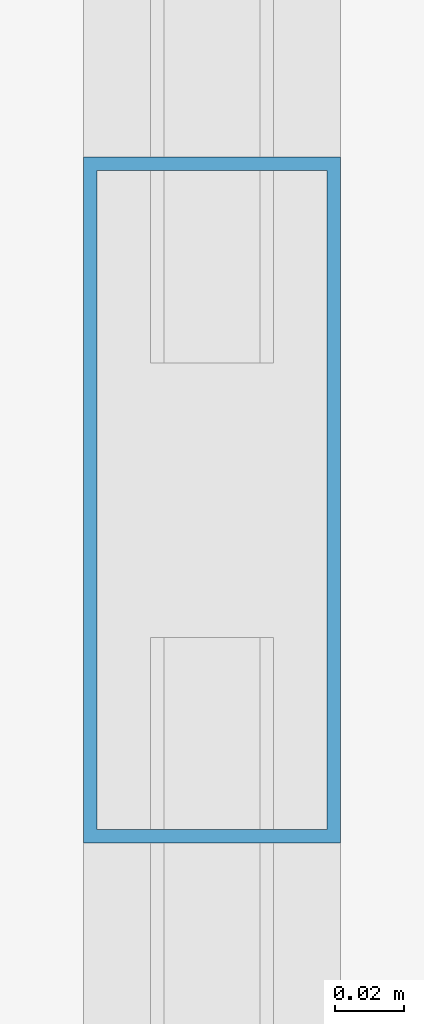
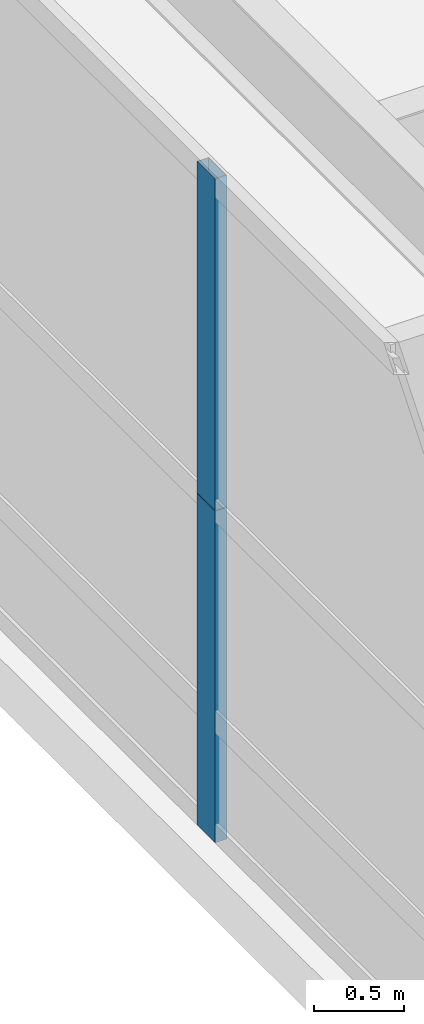
# One storey, part 9 of 34: 2 members, 1 element without a shape of its own.
"""IFC4 building model written with IfcOpenShell, lengths in metres."""

import ifcopenshell
import ifcopenshell.guid

model = None  # the IFC model being written
_history = None  # IfcOwnerHistory: only IFC2X3 demands one
_inside = {}  # id of a spatial element -> (the spatial element, [elements in it])
_under = {}  # id of a project, library or spatial element -> (it, [spatial elements below it])
_declared = {}  # id of a project -> (the project, [libraries it declares])
_typed = {}  # id of a type object -> (the type object, [elements of that type])
_made_of = {}  # id of a material, layer set ... -> (it, [elements and type objects made of it])


def new_model(schema):
    """Start an empty IFC model of exactly this schema.

    Asked for "IFC4X3", IfcOpenShell would pick the latest addendum, in which some entities
    have other attributes; the version numbers below select the first issue.
    IFC2X3 requires an IfcOwnerHistory on every rooted entity: one is made here for all.
    """
    global model, _history
    if schema == "IFC4X3":
        model = ifcopenshell.file(schema_version=(4, 3, 0, 0))
    else:
        model = ifcopenshell.file(schema=schema)
    _inside.clear()
    _under.clear()
    _declared.clear()
    _typed.clear()
    _made_of.clear()
    _history = None
    if model.schema == "IFC2X3":
        org = make("IfcOrganization", Name="unknown")
        user = make(
            "IfcPersonAndOrganization",
            ThePerson=make("IfcPerson", FamilyName="unknown"),
            TheOrganization=org,
        )
        app = make(
            "IfcApplication",
            ApplicationDeveloper=org,
            Version="unknown",
            ApplicationFullName="unknown",
            ApplicationIdentifier="unknown",
        )
        _history = make(
            "IfcOwnerHistory",
            OwningUser=user,
            OwningApplication=app,
            ChangeAction="ADDED",
            CreationDate=0,
        )
    return model


def make(cls, **values):
    """One entity of the class cls with the attributes given. An attribute that is None is left unset."""
    return model.create_entity(
        cls, **{name: value for name, value in values.items() if value is not None}
    )


def rooted(cls, **values):
    """An entity with a GlobalId (a new one), such as an element, a storey or a relation."""
    return make(cls, GlobalId=ifcopenshell.guid.new(), OwnerHistory=_history, **values)


def si_unit(unit_type, name, prefix=None):
    """IfcSIUnit, for example si_unit("LENGTHUNIT", "METRE", prefix="MILLI")."""
    return make("IfcSIUnit", UnitType=unit_type, Prefix=prefix, Name=name)


def assignment(units):
    """IfcUnitAssignment: the units of a project."""
    return None if units is None else make("IfcUnitAssignment", Units=units)


def point(xyz):
    """IfcCartesianPoint."""
    return None if xyz is None else make("IfcCartesianPoint", Coordinates=xyz)


def direction(xyz):
    """IfcDirection."""
    return None if xyz is None else make("IfcDirection", DirectionRatios=xyz)


def frame(location, z_axis=None, x_axis=None):
    """IfcAxis2Placement3D, a coordinate frame: its origin and axes. An axis left out is left unset."""
    return make(
        "IfcAxis2Placement3D",
        Location=point(location),
        Axis=direction(z_axis),
        RefDirection=direction(x_axis),
    )


def frame_2d(location, x_axis=None):
    """IfcAxis2Placement2D, a coordinate frame in the plane: its origin and x axis."""
    return make(
        "IfcAxis2Placement2D", Location=point(location), RefDirection=direction(x_axis)
    )


def origin():
    """The frame at (0, 0, 0) with its axes left unset."""
    return frame((0.0, 0.0, 0.0))


def origin_2d():
    """The frame at (0, 0) in the plane with its x axis left unset."""
    return frame_2d((0.0, 0.0))


def place(relative_to, where):
    """IfcLocalPlacement: puts the frame where relative to a parent placement (None: the world)."""
    return make(
        "IfcLocalPlacement", PlacementRelTo=relative_to, RelativePlacement=where
    )


def context(
    kind, dimensions, precision=None, world=None, true_north=None, identifier=None
):
    """IfcGeometricRepresentationContext, for example the 3D "Model" context."""
    return make(
        "IfcGeometricRepresentationContext",
        ContextIdentifier=identifier,
        ContextType=kind,
        CoordinateSpaceDimension=dimensions,
        Precision=precision,
        WorldCoordinateSystem=world,
        TrueNorth=true_north,
    )


def subcontext(parent, identifier, kind, view, scale=None):
    """IfcGeometricRepresentationSubContext, for example "Body" below "Model"."""
    return make(
        "IfcGeometricRepresentationSubContext",
        ContextIdentifier=identifier,
        ContextType=kind,
        ParentContext=parent,
        TargetScale=scale,
        TargetView=view,
    )


def project(units=None, contexts=None):
    """IfcProject with its units and contexts."""
    return rooted(
        "IfcProject",
        Name="project",
        RepresentationContexts=contexts,
        UnitsInContext=assignment(units),
    )


def spatial(cls, under=None, at=None, **own):
    """A site, building, storey or space (cls), placed at a placement, below another one or the project."""
    s = rooted(cls, ObjectPlacement=at, **own)
    if under is not None:
        _under.setdefault(under.id(), (under, []))[1].append(s)
    return s


def profile(cls, at=None, kind="AREA", **sizes):
    """A parametric profile (cls). Its sizes go by their IFC names, for example OverallWidth=200.0."""
    return make(cls, ProfileType=kind, Position=at, **sizes)


def hollow_rectangle(**sizes):
    """IfcRectangleHollowProfileDef."""
    return profile("IfcRectangleHollowProfileDef", **sizes)


def extrude(swept, where, along, depth):
    """IfcExtrudedAreaSolid: the profile swept, set in the frame where, extruded along a direction by depth."""
    return make(
        "IfcExtrudedAreaSolid",
        SweptArea=swept,
        Position=where,
        ExtrudedDirection=direction(along),
        Depth=depth,
    )


def shape(context_of_items, identifier, shape_type, items):
    """IfcShapeRepresentation: the items that make up one representation, for example the "Body"."""
    return make(
        "IfcShapeRepresentation",
        ContextOfItems=context_of_items,
        RepresentationIdentifier=identifier,
        RepresentationType=shape_type,
        Items=items,
    )


def source(mapping_origin, context_of_items, identifier, shape_type, items):
    """IfcRepresentationMap: a shape defined once, which mapped items show again and again."""
    return make(
        "IfcRepresentationMap",
        MappingOrigin=mapping_origin,
        MappedRepresentation=shape(context_of_items, identifier, shape_type, items),
    )


def transform(
    local_origin,
    x_axis=None,
    y_axis=None,
    z_axis=None,
    scale=None,
    scale2=None,
    scale3=None,
    uniform=True,
):
    """IfcCartesianTransformationOperator3D, or its non-uniform kind. x_axis, y_axis, z_axis: its Axis1, 2, 3."""
    if uniform:
        return make(
            "IfcCartesianTransformationOperator3D",
            Axis1=direction(x_axis),
            Axis2=direction(y_axis),
            LocalOrigin=point(local_origin),
            Scale=scale,
            Axis3=direction(z_axis),
        )
    return make(
        "IfcCartesianTransformationOperator3DnonUniform",
        Axis1=direction(x_axis),
        Axis2=direction(y_axis),
        LocalOrigin=point(local_origin),
        Scale=scale,
        Axis3=direction(z_axis),
        Scale2=scale2,
        Scale3=scale3,
    )


def mapped(mapping_source, mapping_target):
    """IfcMappedItem: shows the shape of a source again, moved by a transform."""
    return make(
        "IfcMappedItem", MappingSource=mapping_source, MappingTarget=mapping_target
    )


def material(Name=None, Category=None):
    """IfcMaterial."""
    return make("IfcMaterial", Name=Name, Category=Category)


def layer(
    of_material, thickness, ventilated=None, Name=None, Category=None, Priority=None
):
    """IfcMaterialLayer: one layer of a wall or slab, of a material (None: an air gap)."""
    return make(
        "IfcMaterialLayer",
        Material=of_material,
        LayerThickness=thickness,
        IsVentilated=ventilated,
        Name=Name,
        Category=Category,
        Priority=Priority,
    )


def layer_set(layers, Name=None):
    """IfcMaterialLayerSet."""
    return make("IfcMaterialLayerSet", MaterialLayers=layers, LayerSetName=Name)


def material_profile(
    of_material, cross_section, Name=None, Category=None, Priority=None
):
    """IfcMaterialProfile: a cross section and its material."""
    return make(
        "IfcMaterialProfile",
        Name=Name,
        Material=of_material,
        Profile=cross_section,
        Priority=Priority,
        Category=Category,
    )


def profile_set(profiles, Name=None, composite=None):
    """IfcMaterialProfileSet."""
    return make(
        "IfcMaterialProfileSet",
        Name=Name,
        MaterialProfiles=profiles,
        CompositeProfile=composite,
    )


def made_of(thing, what):
    """Note that an element or type object is made of a material, layer set ...; save() writes the relation."""
    if what is not None:
        _made_of.setdefault(what.id(), (what, []))[1].append(thing)
    return thing


def type_object(cls, material=None, **own):
    """A type object (cls), such as IfcWallType, which elements share."""
    return made_of(rooted(cls, **own), material)


def element(
    cls,
    number,
    at=None,
    inside=None,
    cuts=None,
    type_object=None,
    material=None,
    context=None,
    identifier="Body",
    shape_type=None,
    held_by="IfcProductDefinitionShape",
    body=None,
    shapes=None,
    **own,
):
    """One element of the class cls, such as IfcWall. Its Tag is "e" and its number.

    at: its placement. inside: the storey or other place that contains it. cuts: it is an
    opening in that element (IfcRelVoidsElement). A single representation is given by context,
    identifier, shape_type and body (its items); several are given by shapes. held_by: the class
    of the entity that holds the representations. save() writes the other relations.
    """
    e = rooted(cls, Tag="e%d" % number, ObjectPlacement=at, **own)
    if body is not None:
        shapes = [shape(context, identifier, shape_type, body)]
    if shapes is not None:
        e.Representation = make(held_by, Representations=shapes)
    if inside is not None:
        _inside.setdefault(inside.id(), (inside, []))[1].append(e)
    if cuts is not None:
        rooted(
            "IfcRelVoidsElement", RelatingBuildingElement=cuts, RelatedOpeningElement=e
        )
    if type_object is not None:
        _typed.setdefault(type_object.id(), (type_object, []))[1].append(e)
    return made_of(e, material)


def aggregate(whole, parts):
    """IfcRelAggregates: a whole, such as a stair, and the parts it consists of."""
    return rooted("IfcRelAggregates", RelatingObject=whole, RelatedObjects=parts)


def save(model, path):
    """Write the relations noted so far, then the file.

    IfcRelAggregates (storeys below a building ...), IfcRelContainedInSpatialStructure (elements
    in a storey), IfcRelDefinesByType, IfcRelAssociatesMaterial and IfcRelDeclares: one each for
    every whole, place, type object, material and project.
    """
    for whole, parts in _under.values():
        aggregate(whole, parts)
    for where, things in _inside.values():
        rooted(
            "IfcRelContainedInSpatialStructure",
            RelatedElements=things,
            RelatingStructure=where,
        )
    for kind, things in _typed.values():
        rooted("IfcRelDefinesByType", RelatedObjects=things, RelatingType=kind)
    for what, things in _made_of.values():
        rooted("IfcRelAssociatesMaterial", RelatedObjects=things, RelatingMaterial=what)
    for by, libraries in _declared.values():
        rooted("IfcRelDeclares", RelatingContext=by, RelatedDefinitions=libraries)
    model.write(path)


model = new_model("IFC4")

# Units and contexts
model_context = context("Model", 3, precision=1e-05, world=origin(), true_north=direction((0.0, 1.0)))
body_context = subcontext(model_context, "Body", "Model", "MODEL_VIEW")
ifc_project = project(units=[si_unit("LENGTHUNIT", "METRE"), si_unit("AREAUNIT", "SQUARE_METRE"), si_unit("VOLUMEUNIT", "CUBIC_METRE"), si_unit("PLANEANGLEUNIT", "RADIAN"), si_unit("MASSUNIT", "GRAM", prefix="KILO"), si_unit("THERMODYNAMICTEMPERATUREUNIT", "KELVIN"), si_unit("POWERUNIT", "WATT")], contexts=[model_context])

# Site, building, storey
site_placement = place(None, origin())
site = spatial("IfcSite", under=ifc_project, at=site_placement, CompositionType="ELEMENT")
building_placement = place(site_placement, origin())
building = spatial("IfcBuilding", under=site, at=building_placement, Name="Yuzanri Waterfront Tower", CompositionType="ELEMENT")
storey_placement = place(building_placement, frame((0.0, 0.0, 25.800048828125)))
storey = spatial("IfcBuildingStorey", under=building, at=storey_placement, Name="L06", CompositionType="ELEMENT", Elevation=25.800048828125)

# Curtain wall, members
ifc_material_1 = material(Name="Anodized Architectural Bronze", Category="metal")
ifc_layer = layer(ifc_material_1, 0.159912109375)
ifc_layer_set = layer_set([ifc_layer], Name="Anodized Architectural Bronze")
curtain_wall_type = type_object("IfcCurtainWallType", Name="Anodized Bronze Podium Waterfront Double-Height Unitized Curtain Wall 8400", PredefinedType="NOTDEFINED", material=ifc_layer_set)
curtain_wall_placement = place(storey_placement, origin())
curtain_wall = element("IfcCurtainWall", 1, at=curtain_wall_placement, inside=storey, type_object=curtain_wall_type, Name="L06 Curtain Wall CW-L06-W", PredefinedType="NOTDEFINED")
ifc_material_2 = material(Name="Anodized Architectural Bronze", Category="metal")
ifc_material_profile = material_profile(ifc_material_2, hollow_rectangle(XDim=0.074951171875, YDim=0.199951171875, WallThickness=0.00390625, at=origin_2d()), Name="CWM 75x200")
ifc_profile_set = profile_set([ifc_material_profile], Name="Anodized Architectural Bronze")
member_type = type_object("IfcMemberType", Name="Anodized Bronze Primary Curtain-Wall Mullion 75x200", PredefinedType="MULLION", material=ifc_profile_set)
shared_shape = source(origin(), body_context, "Body", "SweptSolid", [
    extrude(hollow_rectangle(XDim=0.074951171875, YDim=0.199951171875, WallThickness=0.00390625, at=origin_2d()), origin(), (0.0, 0.0, 1.0), 2.248046875),
])
member_1_placement = place(storey_placement, frame((2.179931640625, 25.800048828125, 0.0), z_axis=(0.0, 0.0, 1.0), x_axis=(1.0, 0.0, 0.0)))
member_1 = element("IfcMember", 2, at=member_1_placement, type_object=member_type, Name="CW-L06-W Lower Mullion 01", PredefinedType="MULLION", context=body_context, shape_type="MappedRepresentation", body=[
    mapped(shared_shape, transform((0.0, 0.0, 0.0), scale=1.0)),
])
member_2_placement = place(storey_placement, frame((2.179931640625, 25.800048828125, 2.251953125), z_axis=(0.0, 0.0, 1.0), x_axis=(1.0, 0.0, 0.0)))
member_2 = element("IfcMember", 3, at=member_2_placement, type_object=member_type, Name="CW-L06-W Upper Mullion 01", PredefinedType="MULLION", context=body_context, shape_type="MappedRepresentation", body=[
    mapped(shared_shape, transform((0.0, 0.0, 0.0), scale=1.0)),
])
aggregate(curtain_wall, [member_1, member_2])

save(model, "model.ifc")
